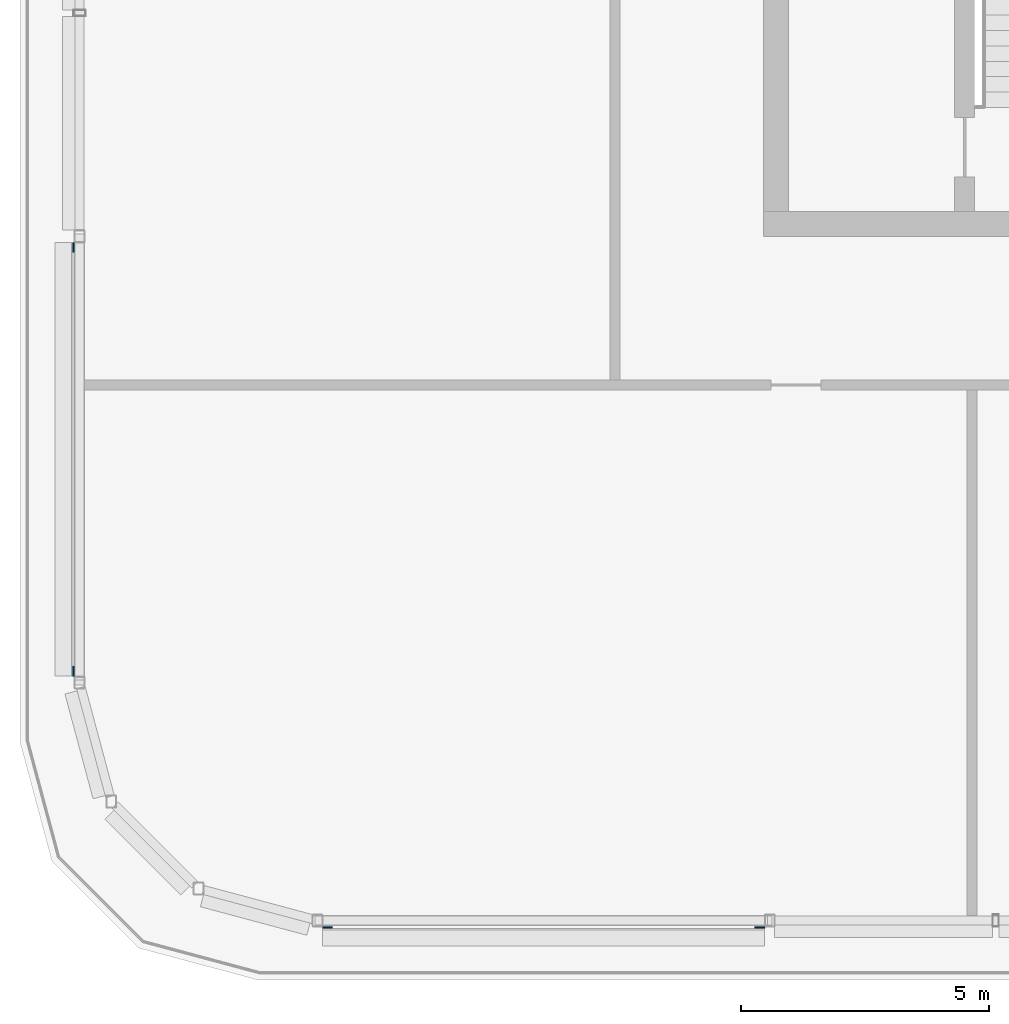
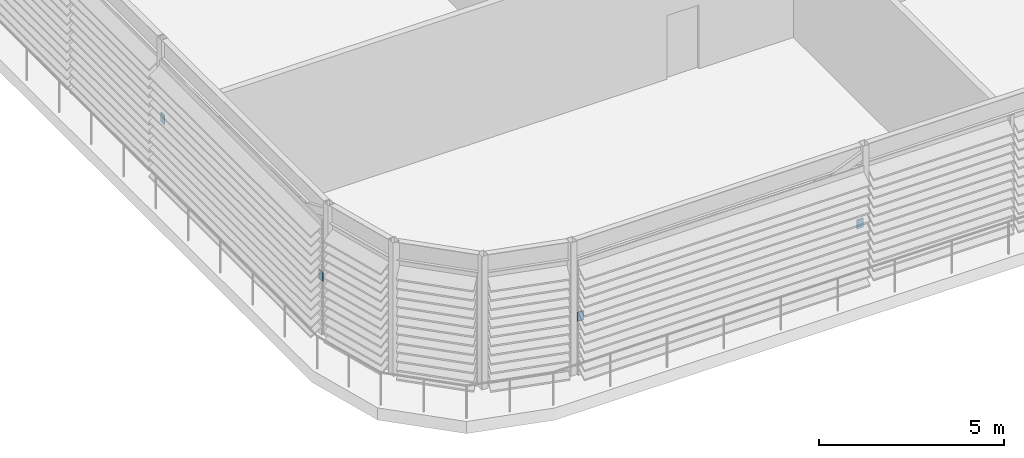
# One storey, part 18 of 29: 4 discrete accessories.
"""IFC4 building model written with IfcOpenShell, lengths in metres."""

from ifc_helpers import new_model, si_unit, direction, frame, origin, origin_2d, place, context, subcontext, project, spatial, rectangle, extrude, material, type_object, element, save


model = new_model("IFC4")

# Units and contexts
model_context = context("Model", 3, precision=1e-05, world=origin(), true_north=direction((0.0, 1.0)))
body_context = subcontext(model_context, "Body", "Model", "MODEL_VIEW")
ifc_project = project(units=[si_unit("LENGTHUNIT", "METRE"), si_unit("AREAUNIT", "SQUARE_METRE"), si_unit("VOLUMEUNIT", "CUBIC_METRE"), si_unit("PLANEANGLEUNIT", "RADIAN"), si_unit("MASSUNIT", "GRAM", prefix="KILO")], contexts=[model_context])

# Site, building, storey
site_placement = place(None, origin())
site = spatial("IfcSite", under=ifc_project, at=site_placement, CompositionType="ELEMENT")
building_placement = place(site_placement, origin())
building = spatial("IfcBuilding", under=site, at=building_placement, Name="Madar Terraces", CompositionType="ELEMENT")
storey_placement = place(building_placement, frame((0.0, 0.0, 296.300048828125)))
storey = spatial("IfcBuildingStorey", under=building, at=storey_placement, Name="L77", CompositionType="ELEMENT", Elevation=296.300048828125)

# Discrete accessories
ifc_material = material(Name="Steel, galvanised", Category="steel")
discrete_accessory_type = type_object("IfcDiscreteAccessoryType", Name="Louvre bank bracket", PredefinedType="BRACKET", material=ifc_material)
for number, where, z_axis, x_axis, name in (
    (1, (6.20166015625, 1.05810546875, 1.7490234375), (0.0, 0.0, 1.0), (1.0, 0.0, 0.0), "Louvre bank bracket"),
    (2, (14.91845703125, 1.05810546875, 1.7490234375), (0.0, 0.0, 1.0), (1.0, 0.0, 0.0), "Louvre bank bracket"),
    (3, (1.08349609375, 14.77294921875, 1.7490234375), (0.0, 0.0, 1.0), (0.0, -1.0, 0.0), "Louvre bank bracket"),
    (4, (1.08349609375, 6.22705078125, 1.7490234375), (0.0, 0.0, 1.0), (0.0, -1.0, 0.0), "Louvre bank bracket"),
):
    element("IfcDiscreteAccessory", number, at=place(storey_placement, frame(where, z_axis=z_axis, x_axis=x_axis)), inside=storey, type_object=discrete_accessory_type, Name=name, PredefinedType="BRACKET", context=body_context, shape_type="SweptSolid", body=[
        extrude(rectangle(XDim=0.199951171875, YDim=0.030029296875, at=origin_2d()), origin(), (0.0, 0.0, 1.0), 0.300048828125),
    ])

save(model, "model.ifc")
